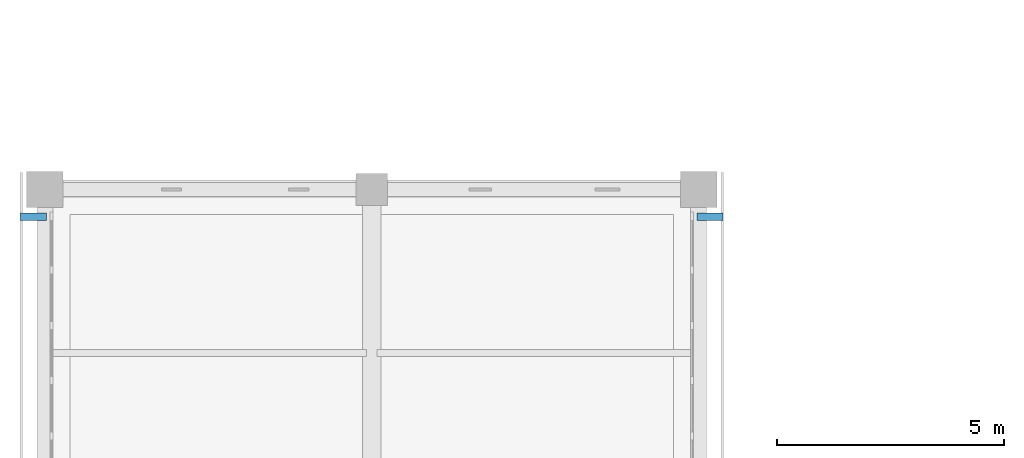
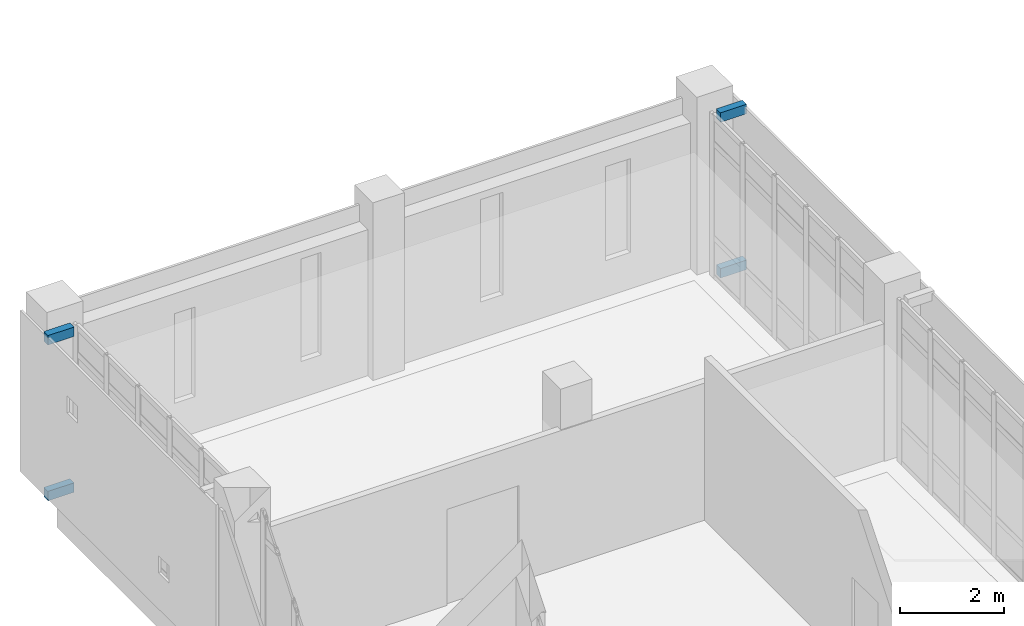
# One storey, part 26 of 33: 4 discrete accessories.
"""IFC4 building model written with IfcOpenShell, lengths in metres."""

from ifc_helpers import new_model, si_unit, direction, frame, origin, origin_2d, place, context, subcontext, project, spatial, rectangle, extrude, material, type_object, element, save


model = new_model("IFC4")

# Units and contexts
model_context = context("Model", 3, precision=1e-05, world=origin(), true_north=direction((0.0, 1.0)))
body_context = subcontext(model_context, "Body", "Model", "MODEL_VIEW")
ifc_project = project(units=[si_unit("LENGTHUNIT", "METRE"), si_unit("AREAUNIT", "SQUARE_METRE"), si_unit("VOLUMEUNIT", "CUBIC_METRE"), si_unit("PLANEANGLEUNIT", "RADIAN"), si_unit("MASSUNIT", "GRAM", prefix="KILO")], contexts=[model_context])

# Site, building, storey
site_placement = place(None, origin())
site = spatial("IfcSite", under=ifc_project, at=site_placement, CompositionType="ELEMENT")
building_placement = place(site_placement, origin())
building = spatial("IfcBuilding", under=site, at=building_placement, Name="Valkovuoma Quantum and Materials Research Institute", CompositionType="ELEMENT")
storey_placement = place(building_placement, frame((0.0, 0.0, 21.43994140625)))
storey = spatial("IfcBuildingStorey", under=building, at=storey_placement, Name="L05", CompositionType="ELEMENT", Elevation=21.43994140625)

# Discrete accessories
ifc_material = material(Name="Steel S355J2", Category="steel")
discrete_accessory_type = type_object("IfcDiscreteAccessoryType", Name="Brk-BRK-01", PredefinedType="BRACKET", material=ifc_material)
for number, where, z_axis, x_axis, name in (
    (1, (-0.25, 93.0, -0.02978515625), (0.0, 0.0, 1.0), (1.0, 0.0, 0.0), "L05 screen bracket 00294"),
    (2, (-0.25, 93.0, 3.6201171875), (0.0, 0.0, 1.0), (1.0, 0.0, 0.0), "L05 screen bracket 00296"),
    (3, (14.64990234375, 93.0, -0.02978515625), (0.0, 0.0, 1.0), (1.0, 0.0, 0.0), "L05 screen bracket 00298"),
    (4, (14.64990234375, 93.0, 3.6201171875), (0.0, 0.0, 1.0), (1.0, 0.0, 0.0), "L05 screen bracket 00300"),
):
    element("IfcDiscreteAccessory", number, at=place(storey_placement, frame(where, z_axis=z_axis, x_axis=x_axis)), inside=storey, type_object=discrete_accessory_type, Name=name, PredefinedType="BRACKET", context=body_context, shape_type="SweptSolid", body=[
        extrude(rectangle(XDim=0.580078125, YDim=0.159912109375, at=origin_2d()), origin(), (0.0, 0.0, 1.0), 0.219970703125),
    ])

save(model, "model.ifc")
